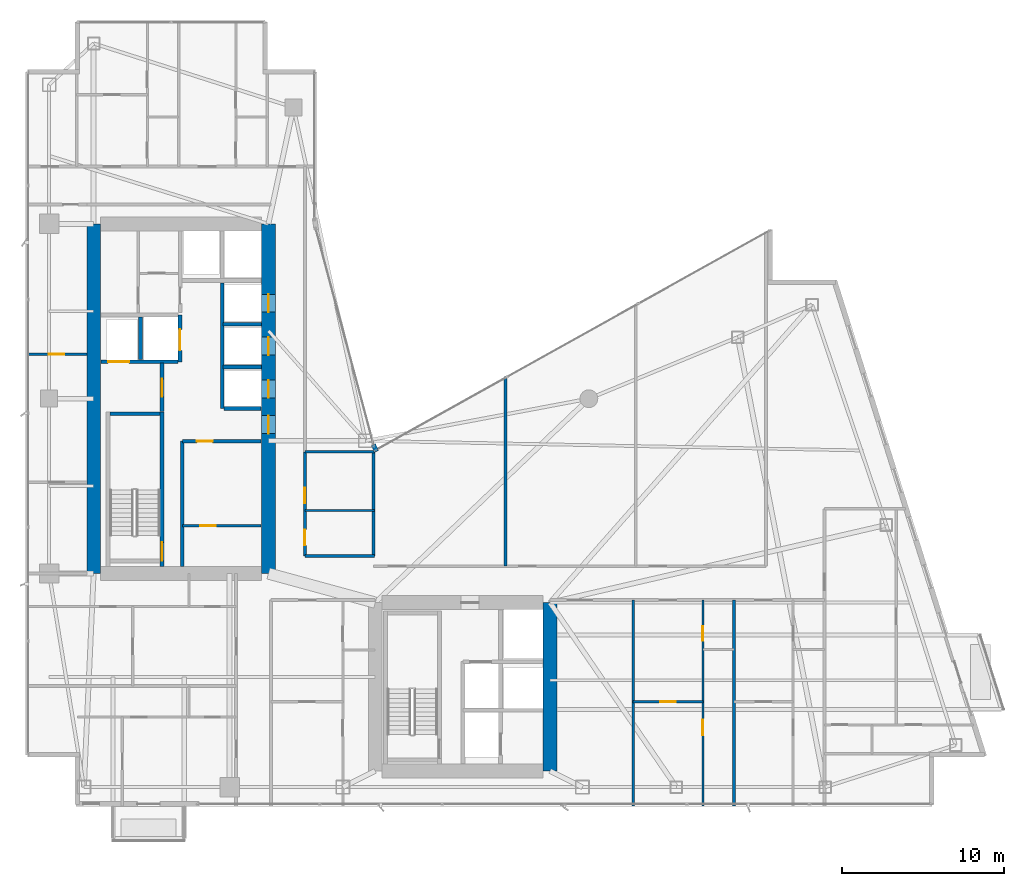
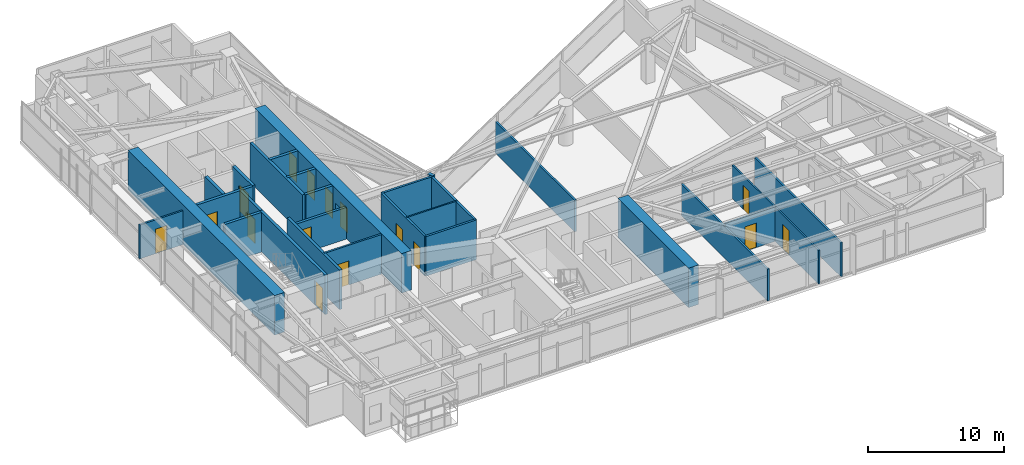
# One storey, part 23 of 29: 28 walls, 16 doors, 16 openings.
"""IFC4 building model written with IfcOpenShell, lengths in metres."""

import ifcopenshell
import ifcopenshell.guid

model = None  # the IFC model being written
_history = None  # IfcOwnerHistory: only IFC2X3 demands one
_inside = {}  # id of a spatial element -> (the spatial element, [elements in it])
_under = {}  # id of a project, library or spatial element -> (it, [spatial elements below it])
_declared = {}  # id of a project -> (the project, [libraries it declares])
_typed = {}  # id of a type object -> (the type object, [elements of that type])
_made_of = {}  # id of a material, layer set ... -> (it, [elements and type objects made of it])


def new_model(schema):
    """Start an empty IFC model of exactly this schema.

    Asked for "IFC4X3", IfcOpenShell would pick the latest addendum, in which some entities
    have other attributes; the version numbers below select the first issue.
    IFC2X3 requires an IfcOwnerHistory on every rooted entity: one is made here for all.
    """
    global model, _history
    if schema == "IFC4X3":
        model = ifcopenshell.file(schema_version=(4, 3, 0, 0))
    else:
        model = ifcopenshell.file(schema=schema)
    _inside.clear()
    _under.clear()
    _declared.clear()
    _typed.clear()
    _made_of.clear()
    _history = None
    if model.schema == "IFC2X3":
        org = make("IfcOrganization", Name="unknown")
        user = make(
            "IfcPersonAndOrganization",
            ThePerson=make("IfcPerson", FamilyName="unknown"),
            TheOrganization=org,
        )
        app = make(
            "IfcApplication",
            ApplicationDeveloper=org,
            Version="unknown",
            ApplicationFullName="unknown",
            ApplicationIdentifier="unknown",
        )
        _history = make(
            "IfcOwnerHistory",
            OwningUser=user,
            OwningApplication=app,
            ChangeAction="ADDED",
            CreationDate=0,
        )
    return model


def make(cls, **values):
    """One entity of the class cls with the attributes given. An attribute that is None is left unset."""
    return model.create_entity(
        cls, **{name: value for name, value in values.items() if value is not None}
    )


def rooted(cls, **values):
    """An entity with a GlobalId (a new one), such as an element, a storey or a relation."""
    return make(cls, GlobalId=ifcopenshell.guid.new(), OwnerHistory=_history, **values)


def si_unit(unit_type, name, prefix=None):
    """IfcSIUnit, for example si_unit("LENGTHUNIT", "METRE", prefix="MILLI")."""
    return make("IfcSIUnit", UnitType=unit_type, Prefix=prefix, Name=name)


def assignment(units):
    """IfcUnitAssignment: the units of a project."""
    return None if units is None else make("IfcUnitAssignment", Units=units)


def point(xyz):
    """IfcCartesianPoint."""
    return None if xyz is None else make("IfcCartesianPoint", Coordinates=xyz)


def direction(xyz):
    """IfcDirection."""
    return None if xyz is None else make("IfcDirection", DirectionRatios=xyz)


def frame(location, z_axis=None, x_axis=None):
    """IfcAxis2Placement3D, a coordinate frame: its origin and axes. An axis left out is left unset."""
    return make(
        "IfcAxis2Placement3D",
        Location=point(location),
        Axis=direction(z_axis),
        RefDirection=direction(x_axis),
    )


def frame_2d(location, x_axis=None):
    """IfcAxis2Placement2D, a coordinate frame in the plane: its origin and x axis."""
    return make(
        "IfcAxis2Placement2D", Location=point(location), RefDirection=direction(x_axis)
    )


def origin():
    """The frame at (0, 0, 0) with its axes left unset."""
    return frame((0.0, 0.0, 0.0))


def place(relative_to, where):
    """IfcLocalPlacement: puts the frame where relative to a parent placement (None: the world)."""
    return make(
        "IfcLocalPlacement", PlacementRelTo=relative_to, RelativePlacement=where
    )


def context(
    kind, dimensions, precision=None, world=None, true_north=None, identifier=None
):
    """IfcGeometricRepresentationContext, for example the 3D "Model" context."""
    return make(
        "IfcGeometricRepresentationContext",
        ContextIdentifier=identifier,
        ContextType=kind,
        CoordinateSpaceDimension=dimensions,
        Precision=precision,
        WorldCoordinateSystem=world,
        TrueNorth=true_north,
    )


def subcontext(parent, identifier, kind, view, scale=None):
    """IfcGeometricRepresentationSubContext, for example "Body" below "Model"."""
    return make(
        "IfcGeometricRepresentationSubContext",
        ContextIdentifier=identifier,
        ContextType=kind,
        ParentContext=parent,
        TargetScale=scale,
        TargetView=view,
    )


def project(units=None, contexts=None):
    """IfcProject with its units and contexts."""
    return rooted(
        "IfcProject",
        Name="project",
        RepresentationContexts=contexts,
        UnitsInContext=assignment(units),
    )


def spatial(cls, under=None, at=None, **own):
    """A site, building, storey or space (cls), placed at a placement, below another one or the project."""
    s = rooted(cls, ObjectPlacement=at, **own)
    if under is not None:
        _under.setdefault(under.id(), (under, []))[1].append(s)
    return s


def profile(cls, at=None, kind="AREA", **sizes):
    """A parametric profile (cls). Its sizes go by their IFC names, for example OverallWidth=200.0."""
    return make(cls, ProfileType=kind, Position=at, **sizes)


def rectangle(**sizes):
    """IfcRectangleProfileDef."""
    return profile("IfcRectangleProfileDef", **sizes)


def extrude(swept, where, along, depth):
    """IfcExtrudedAreaSolid: the profile swept, set in the frame where, extruded along a direction by depth."""
    return make(
        "IfcExtrudedAreaSolid",
        SweptArea=swept,
        Position=where,
        ExtrudedDirection=direction(along),
        Depth=depth,
    )


def shape(context_of_items, identifier, shape_type, items):
    """IfcShapeRepresentation: the items that make up one representation, for example the "Body"."""
    return make(
        "IfcShapeRepresentation",
        ContextOfItems=context_of_items,
        RepresentationIdentifier=identifier,
        RepresentationType=shape_type,
        Items=items,
    )


def material(Name=None, Category=None):
    """IfcMaterial."""
    return make("IfcMaterial", Name=Name, Category=Category)


def layer(
    of_material, thickness, ventilated=None, Name=None, Category=None, Priority=None
):
    """IfcMaterialLayer: one layer of a wall or slab, of a material (None: an air gap)."""
    return make(
        "IfcMaterialLayer",
        Material=of_material,
        LayerThickness=thickness,
        IsVentilated=ventilated,
        Name=Name,
        Category=Category,
        Priority=Priority,
    )


def layer_set(layers, Name=None):
    """IfcMaterialLayerSet."""
    return make("IfcMaterialLayerSet", MaterialLayers=layers, LayerSetName=Name)


def made_of(thing, what):
    """Note that an element or type object is made of a material, layer set ...; save() writes the relation."""
    if what is not None:
        _made_of.setdefault(what.id(), (what, []))[1].append(thing)
    return thing


def type_object(cls, material=None, **own):
    """A type object (cls), such as IfcWallType, which elements share."""
    return made_of(rooted(cls, **own), material)


def element(
    cls,
    number,
    at=None,
    inside=None,
    cuts=None,
    type_object=None,
    material=None,
    context=None,
    identifier="Body",
    shape_type=None,
    held_by="IfcProductDefinitionShape",
    body=None,
    shapes=None,
    **own,
):
    """One element of the class cls, such as IfcWall. Its Tag is "e" and its number.

    at: its placement. inside: the storey or other place that contains it. cuts: it is an
    opening in that element (IfcRelVoidsElement). A single representation is given by context,
    identifier, shape_type and body (its items); several are given by shapes. held_by: the class
    of the entity that holds the representations. save() writes the other relations.
    """
    e = rooted(cls, Tag="e%d" % number, ObjectPlacement=at, **own)
    if body is not None:
        shapes = [shape(context, identifier, shape_type, body)]
    if shapes is not None:
        e.Representation = make(held_by, Representations=shapes)
    if inside is not None:
        _inside.setdefault(inside.id(), (inside, []))[1].append(e)
    if cuts is not None:
        rooted(
            "IfcRelVoidsElement", RelatingBuildingElement=cuts, RelatedOpeningElement=e
        )
    if type_object is not None:
        _typed.setdefault(type_object.id(), (type_object, []))[1].append(e)
    return made_of(e, material)


def fill(opening, filler):
    """IfcRelFillsElement: the door or window that sits in an opening."""
    return rooted(
        "IfcRelFillsElement",
        RelatingOpeningElement=opening,
        RelatedBuildingElement=filler,
    )


def aggregate(whole, parts):
    """IfcRelAggregates: a whole, such as a stair, and the parts it consists of."""
    return rooted("IfcRelAggregates", RelatingObject=whole, RelatedObjects=parts)


def save(model, path):
    """Write the relations noted so far, then the file.

    IfcRelAggregates (storeys below a building ...), IfcRelContainedInSpatialStructure (elements
    in a storey), IfcRelDefinesByType, IfcRelAssociatesMaterial and IfcRelDeclares: one each for
    every whole, place, type object, material and project.
    """
    for whole, parts in _under.values():
        aggregate(whole, parts)
    for where, things in _inside.values():
        rooted(
            "IfcRelContainedInSpatialStructure",
            RelatedElements=things,
            RelatingStructure=where,
        )
    for kind, things in _typed.values():
        rooted("IfcRelDefinesByType", RelatedObjects=things, RelatingType=kind)
    for what, things in _made_of.values():
        rooted("IfcRelAssociatesMaterial", RelatedObjects=things, RelatingMaterial=what)
    for by, libraries in _declared.values():
        rooted("IfcRelDeclares", RelatingContext=by, RelatedDefinitions=libraries)
    model.write(path)


model = new_model("IFC4")

# Units and contexts
model_context = context("Model", 3, precision=1e-05, world=origin(), true_north=direction((0.0, 1.0)))
body_context = subcontext(model_context, "Body", "Model", "MODEL_VIEW")
ifc_project = project(units=[si_unit("LENGTHUNIT", "METRE"), si_unit("AREAUNIT", "SQUARE_METRE"), si_unit("VOLUMEUNIT", "CUBIC_METRE"), si_unit("PLANEANGLEUNIT", "RADIAN"), si_unit("MASSUNIT", "GRAM", prefix="KILO")], contexts=[model_context])

# Site, building, storey
site_placement = place(None, origin())
site = spatial("IfcSite", under=ifc_project, at=site_placement, CompositionType="ELEMENT")
building_placement = place(site_placement, origin())
building = spatial("IfcBuilding", under=site, at=building_placement, Name="Calvorn Quay Hotel", CompositionType="ELEMENT")
storey_placement = place(building_placement, frame((0.0, 0.0, 120.199951171875)))
storey = spatial("IfcBuildingStorey", under=building, at=storey_placement, Name="L29", CompositionType="ELEMENT", Elevation=120.199951171875)

# Wall
ifc_material_1 = material(Name="Concrete C50", Category="concrete")
ifc_layer_1 = layer(ifc_material_1, 0.85009765625)
ifc_layer_set_1 = layer_set([ifc_layer_1], Name="WL-CORE-850")
wall_type_1 = type_object("IfcWallType", Name="WL-CORE-850", PredefinedType="SHEAR", material=ifc_layer_set_1)
wall_1_placement = place(storey_placement, frame((4.199951171875, 16.800048828125, 0.0), z_axis=(0.0, 0.0, 1.0), x_axis=(0.0, 1.0, 0.0)))
element("IfcWall", 1, at=wall_1_placement, inside=storey, type_object=wall_type_1, Name="West Core Shear Wall W (L29)", PredefinedType="SHEAR", context=body_context, shape_type="SweptSolid", body=[
    extrude(rectangle(XDim=21.599853515625, YDim=0.85009765625, at=frame_2d((10.7998046875, 0.0))), origin(), (0.0, 0.0, 1.0), 3.56005859375),
])

# Wall, openings, doors
wall_2_placement = place(storey_placement, frame((15.0, 16.800048828125, 0.0), z_axis=(0.0, 0.0, 1.0), x_axis=(0.0, 1.0, 0.0)))
wall_2 = element("IfcWall", 2, at=wall_2_placement, inside=storey, type_object=wall_type_1, Name="West Core Shear Wall E (L29)", PredefinedType="SHEAR", context=body_context, shape_type="SweptSolid", body=[
    extrude(rectangle(XDim=21.599853515625, YDim=0.85009765625, at=frame_2d((10.7998046875, 0.0))), origin(), (0.0, 0.0, 1.0), 3.56005859375),
])
opening_1_placement = place(wall_2_placement, frame((8.64990234375, 0.0, 0.0)))
opening_1 = element("IfcOpeningElement", 3, at=opening_1_placement, cuts=wall_2, Name="Opening D-L29-CW1", PredefinedType="OPENING", context=body_context, shape_type="SweptSolid", body=[
    extrude(rectangle(XDim=1.10009765625, YDim=2.199951171875, at=frame_2d((0.550048828125, 1.10009765625))), frame((0.0, 0.43505859375, 0.0), z_axis=(0.0, -1.0, 0.0), x_axis=(1.0, 0.0, 0.0)), (0.0, 0.0, 1.0), 0.8701171875),
])
opening_2_placement = place(wall_2_placement, frame((10.85009765625, 0.0, 0.0)))
opening_2 = element("IfcOpeningElement", 4, at=opening_2_placement, cuts=wall_2, Name="Opening LD-L29-M1", PredefinedType="OPENING", context=body_context, shape_type="SweptSolid", body=[
    extrude(rectangle(XDim=1.10009765625, YDim=2.199951171875, at=frame_2d((0.550048828125, 1.10009765625))), frame((0.0, 0.43505859375, 0.0), z_axis=(0.0, -1.0, 0.0), x_axis=(1.0, 0.0, 0.0)), (0.0, 0.0, 1.0), 0.8701171875),
])
opening_3_placement = place(wall_2_placement, frame((13.5, 0.0, 0.0)))
opening_3 = element("IfcOpeningElement", 5, at=opening_3_placement, cuts=wall_2, Name="Opening LD-L29-M2", PredefinedType="OPENING", context=body_context, shape_type="SweptSolid", body=[
    extrude(rectangle(XDim=1.10009765625, YDim=2.199951171875, at=frame_2d((0.550048828125, 1.10009765625))), frame((0.0, 0.43505859375, 0.0), z_axis=(0.0, -1.0, 0.0), x_axis=(1.0, 0.0, 0.0)), (0.0, 0.0, 1.0), 0.8701171875),
])
opening_4_placement = place(wall_2_placement, frame((16.14990234375, 0.0, 0.0)))
opening_4 = element("IfcOpeningElement", 6, at=opening_4_placement, cuts=wall_2, Name="Opening LD-L29-M3", PredefinedType="OPENING", context=body_context, shape_type="SweptSolid", body=[
    extrude(rectangle(XDim=1.10009765625, YDim=2.199951171875, at=frame_2d((0.550048828125, 1.10009765625))), frame((0.0, 0.43505859375, 0.0), z_axis=(0.0, -1.0, 0.0), x_axis=(1.0, 0.0, 0.0)), (0.0, 0.0, 1.0), 0.8701171875),
])
ifc_material_2 = material(Name="Smoke-Sealed Steel Class A Fire Door", Category="steel")
door_type_1 = type_object("IfcDoorType", Name="DR-FFLOBBY-1100", OperationType="NOTDEFINED", PredefinedType="DOOR", material=ifc_material_2)
door_1_placement = place(opening_1_placement, origin())
door_1 = element("IfcDoor", 7, at=door_1_placement, inside=storey, type_object=door_type_1, Name="West Core Vestibule Fire Door (L29)", OperationType="SINGLE_SWING_RIGHT", OverallHeight=2.199951171875, OverallWidth=1.10009765625, PredefinedType="DOOR", context=body_context, shape_type="SweptSolid", body=[
    extrude(rectangle(XDim=1.10009765625, YDim=2.199951171875, at=frame_2d((0.550048828125, 1.10009765625))), frame((0.0, 0.02490234375, 0.0), z_axis=(0.0, -1.0, 0.0), x_axis=(1.0, 0.0, 0.0)), (0.0, 0.0, 1.0), 0.050048828125),
])
fill(opening_1, door_1)
ifc_material_3 = material(Name="Brushed Stainless Steel Sliding Lift Landing Door", Category="steel")
door_type_2 = type_object("IfcDoorType", Name="DR-LIFT-PASS-1100", OperationType="NOTDEFINED", PredefinedType="DOOR", material=ifc_material_3)
door_2_placement = place(opening_2_placement, origin())
door_2 = element("IfcDoor", 8, at=door_2_placement, inside=storey, type_object=door_type_2, Name="Mid-Rise Lift PL-M1 Landing Door (L29)", OperationType="DOUBLE_DOOR_SLIDING", OverallHeight=2.199951171875, OverallWidth=1.10009765625, PredefinedType="DOOR", context=body_context, shape_type="SweptSolid", body=[
    extrude(rectangle(XDim=1.10009765625, YDim=2.199951171875, at=frame_2d((0.550048828125, 1.10009765625))), frame((0.0, 0.02490234375, 0.0), z_axis=(0.0, -1.0, 0.0), x_axis=(1.0, 0.0, 0.0)), (0.0, 0.0, 1.0), 0.050048828125),
])
fill(opening_2, door_2)
door_3_placement = place(opening_3_placement, origin())
door_3 = element("IfcDoor", 9, at=door_3_placement, inside=storey, type_object=door_type_2, Name="Mid-Rise Lift PL-M2 Landing Door (L29)", OperationType="DOUBLE_DOOR_SLIDING", OverallHeight=2.199951171875, OverallWidth=1.10009765625, PredefinedType="DOOR", context=body_context, shape_type="SweptSolid", body=[
    extrude(rectangle(XDim=1.10009765625, YDim=2.199951171875, at=frame_2d((0.550048828125, 1.10009765625))), frame((0.0, 0.02490234375, 0.0), z_axis=(0.0, -1.0, 0.0), x_axis=(1.0, 0.0, 0.0)), (0.0, 0.0, 1.0), 0.050048828125),
])
fill(opening_3, door_3)
door_4_placement = place(opening_4_placement, origin())
door_4 = element("IfcDoor", 10, at=door_4_placement, inside=storey, type_object=door_type_2, Name="Mid-Rise Lift PL-M3 Landing Door (L29)", OperationType="DOUBLE_DOOR_SLIDING", OverallHeight=2.199951171875, OverallWidth=1.10009765625, PredefinedType="DOOR", context=body_context, shape_type="SweptSolid", body=[
    extrude(rectangle(XDim=1.10009765625, YDim=2.199951171875, at=frame_2d((0.550048828125, 1.10009765625))), frame((0.0, 0.02490234375, 0.0), z_axis=(0.0, -1.0, 0.0), x_axis=(1.0, 0.0, 0.0)), (0.0, 0.0, 1.0), 0.050048828125),
])
fill(opening_4, door_4)

# Walls
wall_3_placement = place(storey_placement, frame((32.39990234375, 4.60009765625, 0.0), z_axis=(0.0, 0.0, 1.0), x_axis=(0.0, 1.0, 0.0)))
element("IfcWall", 11, at=wall_3_placement, inside=storey, type_object=wall_type_1, Name="East Core Shear Wall E (L29)", PredefinedType="SHEAR", context=body_context, shape_type="SweptSolid", body=[
    extrude(rectangle(XDim=10.39990234375, YDim=0.85009765625, at=frame_2d((5.199951171875, 0.0))), origin(), (0.0, 0.0, 1.0), 3.56005859375),
])
ifc_material_4 = material(Name="Acoustic Fireboard Steel-Stud Partition", Category="steel")
ifc_layer_2 = layer(ifc_material_4, 0.179931640625)
ifc_layer_set_2 = layer_set([ifc_layer_2], Name="WL-CORR-FIRE-180")
wall_type_2 = type_object("IfcWallType", Name="WL-CORR-FIRE-180", PredefinedType="PARTITIONING", material=ifc_layer_set_2)
wall_4_placement = place(storey_placement, frame((17.25, 17.8798828125, 0.0), z_axis=(0.0, 0.0, 1.0), x_axis=(1.0, 0.0, 0.0)))
element("IfcWall", 12, at=wall_4_placement, inside=storey, type_object=wall_type_2, Name="Partition Wall L29-WL-HK-S", PredefinedType="PARTITIONING", context=body_context, shape_type="SweptSolid", body=[
    extrude(rectangle(XDim=4.300048828125, YDim=0.179931640625, at=frame_2d((2.14990234375, 0.0))), origin(), (0.0, 0.0, 1.0), 3.56005859375),
])
wall_5_placement = place(storey_placement, frame((17.25, 24.320068359375, 0.0), z_axis=(0.0, 0.0, 1.0), x_axis=(1.0, 0.0, 0.0)))
element("IfcWall", 13, at=wall_5_placement, inside=storey, type_object=wall_type_2, Name="Partition Wall L29-WL-HK-N", PredefinedType="PARTITIONING", context=body_context, shape_type="SweptSolid", body=[
    extrude(rectangle(XDim=4.35009765625, YDim=0.179931640625, at=frame_2d((2.175048828125, 0.0))), origin(), (0.0, 0.0, 1.0), 3.56005859375),
])
wall_6_placement = place(storey_placement, frame((21.5, 17.8798828125, 0.0), z_axis=(0.0, 0.0, 1.0), x_axis=(0.0, 1.0, 0.0)))
element("IfcWall", 14, at=wall_6_placement, inside=storey, type_object=wall_type_2, Name="Partition Wall L29-WL-HK-E", PredefinedType="PARTITIONING", context=body_context, shape_type="SweptSolid", body=[
    extrude(rectangle(XDim=6.440185546875, YDim=0.179931640625, at=frame_2d((3.22021484375, 0.0))), origin(), (0.0, 0.0, 1.0), 3.56005859375),
])

# Wall, openings, doors
wall_7_placement = place(storey_placement, frame((17.25, 17.8798828125, 0.0), z_axis=(0.0, 0.0, 1.0), x_axis=(0.0, 1.0, 0.0)))
wall_7 = element("IfcWall", 15, at=wall_7_placement, inside=storey, type_object=wall_type_2, Name="Partition Wall L29-WL-HK-W", PredefinedType="PARTITIONING", context=body_context, shape_type="SweptSolid", body=[
    extrude(rectangle(XDim=6.440185546875, YDim=0.179931640625, at=frame_2d((3.22021484375, 0.0))), origin(), (0.0, 0.0, 1.0), 3.56005859375),
])
opening_5_placement = place(wall_7_placement, frame((0.64990234375, 0.0, 0.0)))
opening_5 = element("IfcOpeningElement", 16, at=opening_5_placement, cuts=wall_7, Name="Opening D-L29-HK", PredefinedType="OPENING", context=body_context, shape_type="SweptSolid", body=[
    extrude(rectangle(XDim=0.97998046875, YDim=2.14990234375, at=frame_2d((0.489990234375, 1.074951171875))), frame((0.0, 0.099853515625, 0.0), z_axis=(0.0, -1.0, 0.0), x_axis=(1.0, 0.0, 0.0)), (0.0, 0.0, 1.0), 0.199951171875),
])
opening_6_placement = place(wall_7_placement, frame((3.27001953125, 0.0, 0.0)))
opening_6 = element("IfcOpeningElement", 17, at=opening_6_placement, cuts=wall_7, Name="Opening D-L29-NCP", PredefinedType="OPENING", context=body_context, shape_type="SweptSolid", body=[
    extrude(rectangle(XDim=0.9599609375, YDim=2.199951171875, at=frame_2d((0.47998046875, 1.10009765625))), frame((0.0, 0.099853515625, 0.0), z_axis=(0.0, -1.0, 0.0), x_axis=(1.0, 0.0, 0.0)), (0.0, 0.0, 1.0), 0.199951171875),
])
ifc_material_5 = material(Name="Painted Steel Housekeeping/Riser Fire Door", Category="steel")
door_type_3 = type_object("IfcDoorType", Name="DR-SERVICE-980", OperationType="NOTDEFINED", PredefinedType="DOOR", material=ifc_material_5)
door_5_placement = place(opening_5_placement, origin())
door_5 = element("IfcDoor", 18, at=door_5_placement, inside=storey, type_object=door_type_3, Name="Floor Housekeeping Door (L29)", OperationType="SINGLE_SWING_LEFT", OverallHeight=2.14990234375, OverallWidth=0.97998046875, PredefinedType="DOOR", context=body_context, shape_type="SweptSolid", body=[
    extrude(rectangle(XDim=0.97998046875, YDim=2.14990234375, at=frame_2d((0.489990234375, 1.074951171875))), frame((0.0, 0.02490234375, 0.0), z_axis=(0.0, -1.0, 0.0), x_axis=(1.0, 0.0, 0.0)), (0.0, 0.0, 1.0), 0.050048828125),
])
fill(opening_5, door_5)
ifc_material_6 = material(Name="Solid Timber Internal Suite Door", Category="wood")
door_type_4 = type_object("IfcDoorType", Name="DR-SUITE-INT-960", OperationType="NOTDEFINED", PredefinedType="DOOR", material=ifc_material_6)
door_6_placement = place(opening_6_placement, origin())
door_6 = element("IfcDoor", 19, at=door_6_placement, inside=storey, type_object=door_type_4, Name="Reading Alcove Door (L29)", OperationType="SINGLE_SWING_RIGHT", OverallHeight=2.199951171875, OverallWidth=0.9599609375, PredefinedType="DOOR", context=body_context, shape_type="SweptSolid", body=[
    extrude(rectangle(XDim=0.9599609375, YDim=2.199951171875, at=frame_2d((0.47998046875, 1.10009765625))), frame((0.0, 0.02490234375, 0.0), z_axis=(0.0, -1.0, 0.0), x_axis=(1.0, 0.0, 0.0)), (0.0, 0.0, 1.0), 0.050048828125),
])
fill(opening_6, door_6)

# Wall
ifc_material_7 = material(Name="Moisture-Resistant Tile-Backed Partition")
ifc_layer_3 = layer(ifc_material_7, 0.125)
ifc_layer_set_3 = layer_set([ifc_layer_3], Name="WL-ENSUITE-125")
wall_type_3 = type_object("IfcWallType", Name="WL-ENSUITE-125", PredefinedType="PARTITIONING", material=ifc_layer_set_3)
wall_8_placement = place(storey_placement, frame((17.25, 20.679931640625, 0.0), z_axis=(0.0, 0.0, 1.0), x_axis=(1.0, 0.0, 0.0)))
element("IfcWall", 20, at=wall_8_placement, inside=storey, type_object=wall_type_3, Name="Partition Wall L29-WL-HK-M", PredefinedType="PARTITIONING", context=body_context, shape_type="SweptSolid", body=[
    extrude(rectangle(XDim=4.300048828125, YDim=0.125, at=frame_2d((2.14990234375, 0.0))), origin(), (0.0, 0.0, 1.0), 3.56005859375),
])

# Wall, openings, doors
wall_9_placement = place(storey_placement, frame((41.840087890625, 2.43994140625, 0.0), z_axis=(0.0, 0.0, 1.0), x_axis=(0.0, 1.0, 0.0)))
wall_9 = element("IfcWall", 21, at=wall_9_placement, inside=storey, type_object=wall_type_3, Name="Partition Wall L29-WL-U06-BV", PredefinedType="PARTITIONING", context=body_context, shape_type="SweptSolid", body=[
    extrude(rectangle(XDim=12.7099609375, YDim=0.125, at=frame_2d((6.35498046875, 0.0))), origin(), (0.0, 0.0, 1.0), 3.0400390625),
])
opening_7_placement = place(wall_9_placement, frame((4.35009765625, 0.0, 0.0)))
opening_7 = element("IfcOpeningElement", 22, at=opening_7_placement, cuts=wall_9, Name="Opening D-L29-S06", PredefinedType="OPENING", context=body_context, shape_type="SweptSolid", body=[
    extrude(rectangle(XDim=0.9599609375, YDim=2.199951171875, at=frame_2d((0.47998046875, 1.10009765625))), frame((0.0, 0.072509765625, 0.0), z_axis=(0.0, -1.0, 0.0), x_axis=(1.0, 0.0, 0.0)), (0.0, 0.0, 1.0), 0.14501953125),
])
opening_8_placement = place(wall_9_placement, frame((10.2099609375, 0.0, 0.0)))
opening_8 = element("IfcOpeningElement", 23, at=opening_8_placement, cuts=wall_9, Name="Opening D-L29-E06", PredefinedType="OPENING", context=body_context, shape_type="SweptSolid", body=[
    extrude(rectangle(XDim=0.89990234375, YDim=2.14990234375, at=frame_2d((0.449951171875, 1.074951171875))), frame((0.0, 0.072509765625, 0.0), z_axis=(0.0, -1.0, 0.0), x_axis=(1.0, 0.0, 0.0)), (0.0, 0.0, 1.0), 0.14501953125),
])
ifc_material_8 = material(Name="Moisture-Sealed Timber En-Suite Door", Category="wood")
door_type_5 = type_object("IfcDoorType", Name="DR-ENSUITE-900", OperationType="NOTDEFINED", PredefinedType="DOOR", material=ifc_material_8)
door_7_placement = place(opening_8_placement, origin())
door_7 = element("IfcDoor", 24, at=door_7_placement, inside=storey, type_object=door_type_5, Name="En-Suite Door 06", OperationType="SINGLE_SWING_RIGHT", OverallHeight=2.14990234375, OverallWidth=0.89990234375, PredefinedType="DOOR", context=body_context, shape_type="SweptSolid", body=[
    extrude(rectangle(XDim=0.89990234375, YDim=2.14990234375, at=frame_2d((0.449951171875, 1.074951171875))), frame((0.0, 0.02490234375, 0.0), z_axis=(0.0, -1.0, 0.0), x_axis=(1.0, 0.0, 0.0)), (0.0, 0.0, 1.0), 0.050048828125),
])
fill(opening_8, door_7)
door_8_placement = place(opening_7_placement, origin())
door_8 = element("IfcDoor", 25, at=door_8_placement, inside=storey, type_object=door_type_4, Name="Harbour Tea Room Door 06", OperationType="SINGLE_SWING_LEFT", OverallHeight=2.199951171875, OverallWidth=0.9599609375, PredefinedType="DOOR", context=body_context, shape_type="SweptSolid", body=[
    extrude(rectangle(XDim=0.9599609375, YDim=2.199951171875, at=frame_2d((0.47998046875, 1.10009765625))), frame((0.0, 0.02490234375, 0.0), z_axis=(0.0, -1.0, 0.0), x_axis=(1.0, 0.0, 0.0)), (0.0, 0.0, 1.0), 0.050048828125),
])
fill(opening_7, door_8)

# Wall
ifc_material_9 = material(Name="Concrete C40", Category="concrete")
ifc_layer_4 = layer(ifc_material_9, 0.320068359375)
ifc_layer_set_4 = layer_set([ifc_layer_4], Name="WL-EXT-SPANDREL-320")
wall_type_4 = type_object("IfcWallType", Name="WL-EXT-SPANDREL-320", PredefinedType="SOLIDWALL", material=ifc_layer_set_4)
wall_10_placement = place(storey_placement, frame((21.679931640625, 24.340087890625, 0.0), z_axis=(0.0, 0.0, 1.0), x_axis=(-0.40758134973, 0.913168901875, 0.0)))
element("IfcWall", 26, at=wall_10_placement, inside=storey, type_object=wall_type_4, Name="Inner Court Corner Pier L29-ICJ1", PredefinedType="SOLIDWALL", context=body_context, shape_type="SweptSolid", body=[
    extrude(rectangle(XDim=0.470703125, YDim=0.280029296875, at=frame_2d((0.2353515625, 0.0))), origin(), (0.0, 0.0, 1.0), 3.56005859375),
])

# Wall, opening, door
ifc_material_10 = material(Name="Double-Stud Acoustic Gypsum Partition")
ifc_layer_5 = layer(ifc_material_10, 0.159912109375)
ifc_layer_set_5 = layer_set([ifc_layer_5], Name="WL-INTERSUITE-160")
wall_type_5 = type_object("IfcWallType", Name="WL-INTERSUITE-160", PredefinedType="PARTITIONING", material=ifc_layer_set_5)
wall_11_placement = place(storey_placement, frame((9.679931640625, 19.75, 0.0), z_axis=(0.0, 0.0, 1.0), x_axis=(1.0, 0.0, 0.0)))
wall_11 = element("IfcWall", 27, at=wall_11_placement, inside=storey, type_object=wall_type_5, Name="Partition Wall L29-WL-CWW-FR-SPLIT", PredefinedType="PARTITIONING", context=body_context, shape_type="SweptSolid", body=[
    extrude(rectangle(XDim=4.875, YDim=0.159912109375, at=frame_2d((2.4375, 0.0))), origin(), (0.0, 0.0, 1.0), 3.56005859375),
])
opening_9_placement = place(wall_11_placement, frame((1.10009765625, 0.0, 0.0)))
opening_9 = element("IfcOpeningElement", 28, at=opening_9_placement, cuts=wall_11, Name="Opening D-L29-FRL1", PredefinedType="OPENING", context=body_context, shape_type="SweptSolid", body=[
    extrude(rectangle(XDim=0.97998046875, YDim=2.14990234375, at=frame_2d((0.489990234375, 1.074951171875))), frame((0.0, 0.08984375, 0.0), z_axis=(0.0, -1.0, 0.0), x_axis=(1.0, 0.0, 0.0)), (0.0, 0.0, 1.0), 0.179931640625),
])
door_9_placement = place(opening_9_placement, origin())
door_9 = element("IfcDoor", 29, at=door_9_placement, inside=storey, type_object=door_type_3, Name="Linen Store Room Door (L29)", OperationType="SINGLE_SWING_LEFT", OverallHeight=2.14990234375, OverallWidth=0.97998046875, PredefinedType="DOOR", context=body_context, shape_type="SweptSolid", body=[
    extrude(rectangle(XDim=0.97998046875, YDim=2.14990234375, at=frame_2d((0.489990234375, 1.074951171875))), frame((0.0, 0.02490234375, 0.0), z_axis=(0.0, -1.0, 0.0), x_axis=(1.0, 0.0, 0.0)), (0.0, 0.0, 1.0), 0.050048828125),
])
fill(opening_9, door_9)

wall_12_placement = place(storey_placement, frame((0.080078125, 30.35009765625, 0.0), z_axis=(0.0, 0.0, 1.0), x_axis=(1.0, 0.0, 0.0)))
wall_12 = element("IfcWall", 30, at=wall_12_placement, inside=storey, type_object=wall_type_5, Name="Partition Wall L29-WL-WBAY-DIVB", PredefinedType="PARTITIONING", context=body_context, shape_type="SweptSolid", body=[
    extrude(rectangle(XDim=3.724853515625, YDim=0.159912109375, at=frame_2d((1.8623046875, 0.0))), origin(), (0.0, 0.0, 1.0), 3.0400390625),
])
opening_10_placement = place(wall_12_placement, frame((1.35009765625, 0.0, 0.0)))
opening_10 = element("IfcOpeningElement", 31, at=opening_10_placement, cuts=wall_12, Name="Opening D-L29-WBB", PredefinedType="OPENING", context=body_context, shape_type="SweptSolid", body=[
    extrude(rectangle(XDim=0.9599609375, YDim=2.199951171875, at=frame_2d((0.47998046875, 1.10009765625))), frame((0.0, 0.08984375, 0.0), z_axis=(0.0, -1.0, 0.0), x_axis=(1.0, 0.0, 0.0)), (0.0, 0.0, 1.0), 0.179931640625),
])
door_10_placement = place(opening_10_placement, origin())
door_10 = element("IfcDoor", 32, at=door_10_placement, inside=storey, type_object=door_type_4, Name="West North Connecting Door (L29)", OperationType="SINGLE_SWING_RIGHT", OverallHeight=2.199951171875, OverallWidth=0.9599609375, PredefinedType="DOOR", context=body_context, shape_type="SweptSolid", body=[
    extrude(rectangle(XDim=0.9599609375, YDim=2.199951171875, at=frame_2d((0.47998046875, 1.10009765625))), frame((0.0, 0.02490234375, 0.0), z_axis=(0.0, -1.0, 0.0), x_axis=(1.0, 0.0, 0.0)), (0.0, 0.0, 1.0), 0.050048828125),
])
fill(opening_10, door_10)

wall_13_placement = place(storey_placement, frame((37.530029296875, 8.8798828125, 0.0), z_axis=(0.0, 0.0, 1.0), x_axis=(1.0, 0.0, 0.0)))
wall_13 = element("IfcWall", 33, at=wall_13_placement, inside=storey, type_object=wall_type_5, Name="Partition Wall L29-WL-U06-MSP", PredefinedType="PARTITIONING", context=body_context, shape_type="SweptSolid", body=[
    extrude(rectangle(XDim=4.31005859375, YDim=0.159912109375, at=frame_2d((2.155029296875, 0.0))), origin(), (0.0, 0.0, 1.0), 3.090087890625),
])
opening_11_placement = place(wall_13_placement, frame((1.679931640625, 0.0, 0.0)))
opening_11 = element("IfcOpeningElement", 34, at=opening_11_placement, cuts=wall_13, Name="Opening D-L29-M06", PredefinedType="OPENING", context=body_context, shape_type="SweptSolid", body=[
    extrude(rectangle(XDim=0.9599609375, YDim=2.199951171875, at=frame_2d((0.47998046875, 1.10009765625))), frame((0.0, 0.08984375, 0.0), z_axis=(0.0, -1.0, 0.0), x_axis=(1.0, 0.0, 0.0)), (0.0, 0.0, 1.0), 0.179931640625),
])
door_11_placement = place(opening_11_placement, origin())
door_11 = element("IfcDoor", 35, at=door_11_placement, inside=storey, type_object=door_type_4, Name="Suite Bedroom Door 06", OperationType="SINGLE_SWING_LEFT", OverallHeight=2.199951171875, OverallWidth=0.9599609375, PredefinedType="DOOR", context=body_context, shape_type="SweptSolid", body=[
    extrude(rectangle(XDim=0.9599609375, YDim=2.199951171875, at=frame_2d((0.47998046875, 1.10009765625))), frame((0.0, 0.02490234375, 0.0), z_axis=(0.0, -1.0, 0.0), x_axis=(1.0, 0.0, 0.0)), (0.0, 0.0, 1.0), 0.050048828125),
])
fill(opening_11, door_11)

# Walls
wall_14_placement = place(storey_placement, frame((37.530029296875, 2.43994140625, 0.0), z_axis=(0.0, 0.0, 1.0), x_axis=(0.0, 1.0, 0.0)))
element("IfcWall", 36, at=wall_14_placement, inside=storey, type_object=wall_type_5, Name="Partition Wall L29-WL-SE-DIV-1", PredefinedType="PARTITIONING", context=body_context, shape_type="SweptSolid", body=[
    extrude(rectangle(XDim=12.7099609375, YDim=0.159912109375, at=frame_2d((6.35498046875, 0.0))), origin(), (0.0, 0.0, 1.0), 2.840087890625),
])
wall_15_placement = place(storey_placement, frame((43.77001953125, 2.43994140625, 0.0), z_axis=(0.0, 0.0, 1.0), x_axis=(0.0, 1.0, 0.0)))
element("IfcWall", 37, at=wall_15_placement, inside=storey, type_object=wall_type_5, Name="Partition Wall L29-WL-SE-DIV-2", PredefinedType="PARTITIONING", context=body_context, shape_type="SweptSolid", body=[
    extrude(rectangle(XDim=12.7099609375, YDim=0.159912109375, at=frame_2d((6.35498046875, 0.0))), origin(), (0.0, 0.0, 1.0), 3.0400390625),
])
wall_16_placement = place(storey_placement, frame((29.64990234375, 17.25, 0.0), z_axis=(0.0, 0.0, 1.0), x_axis=(0.0, 1.0, 0.0)))
element("IfcWall", 38, at=wall_16_placement, inside=storey, type_object=wall_type_5, Name="Partition Wall L29-WL-NE-DIV-1", PredefinedType="PARTITIONING", context=body_context, shape_type="SweptSolid", body=[
    extrude(rectangle(XDim=11.719970703125, YDim=0.159912109375, at=frame_2d((5.85986328125, 0.0))), origin(), (0.0, 0.0, 1.0), 2.840087890625),
])
ifc_material_11 = material(Name="Autoclaved Aerated Masonry Block", Category="masonry")
ifc_layer_6 = layer(ifc_material_11, 0.219970703125)
ifc_layer_set_6 = layer_set([ifc_layer_6], Name="WL-LOBBY-FIRE-220")
wall_type_6 = type_object("IfcWallType", Name="WL-LOBBY-FIRE-220", PredefinedType="SOLIDWALL", material=ifc_layer_set_6)
wall_17_placement = place(storey_placement, frame((9.679931640625, 17.2451171875, 0.0), z_axis=(0.0, 0.0, 1.0), x_axis=(0.0, 1.0, 0.0)))
element("IfcWall", 39, at=wall_17_placement, inside=storey, type_object=wall_type_6, Name="Partition Wall L29-WL-CWW-STW-HALL-E", PredefinedType="SOLIDWALL", context=body_context, shape_type="SweptSolid", body=[
    extrude(rectangle(XDim=7.7548828125, YDim=0.219970703125, at=frame_2d((3.87744140625, 0.0))), origin(), (0.0, 0.0, 1.0), 3.56005859375),
])

# Wall, opening, door
wall_18_placement = place(storey_placement, frame((9.679931640625, 24.969970703125, 0.0), z_axis=(0.0, 0.0, 1.0), x_axis=(1.0, 0.0, 0.0)))
wall_18 = element("IfcWall", 40, at=wall_18_placement, inside=storey, type_object=wall_type_6, Name="Partition Wall L29-WL-CWW-FR-N", PredefinedType="SOLIDWALL", context=body_context, shape_type="SweptSolid", body=[
    extrude(rectangle(XDim=4.875, YDim=0.219970703125, at=frame_2d((2.4375, 0.0))), origin(), (0.0, 0.0, 1.0), 2.840087890625),
])
opening_12_placement = place(wall_18_placement, frame((0.89990234375, 0.0, 0.0)))
opening_12 = element("IfcOpeningElement", 41, at=opening_12_placement, cuts=wall_18, Name="Opening D-L29-FRL2", PredefinedType="OPENING", context=body_context, shape_type="SweptSolid", body=[
    extrude(rectangle(XDim=0.97998046875, YDim=2.14990234375, at=frame_2d((0.489990234375, 1.074951171875))), frame((0.0, 0.119873046875, 0.0), z_axis=(0.0, -1.0, 0.0), x_axis=(1.0, 0.0, 0.0)), (0.0, 0.0, 1.0), 0.239990234375),
])
door_12_placement = place(opening_12_placement, origin())
door_12 = element("IfcDoor", 42, at=door_12_placement, inside=storey, type_object=door_type_3, Name="Beverage Pantry Door (L29)", OperationType="SINGLE_SWING_RIGHT", OverallHeight=2.14990234375, OverallWidth=0.97998046875, PredefinedType="DOOR", context=body_context, shape_type="SweptSolid", body=[
    extrude(rectangle(XDim=0.97998046875, YDim=2.14990234375, at=frame_2d((0.489990234375, 1.074951171875))), frame((0.0, 0.02490234375, 0.0), z_axis=(0.0, -1.0, 0.0), x_axis=(1.0, 0.0, 0.0)), (0.0, 0.0, 1.0), 0.050048828125),
])
fill(opening_12, door_12)

ifc_material_12 = material(Name="Concrete C40", Category="concrete")
ifc_layer_7 = layer(ifc_material_12, 0.239990234375)
ifc_layer_set_7 = layer_set([ifc_layer_7], Name="WL-SHAFT-240")
wall_type_7 = type_object("IfcWallType", Name="WL-SHAFT-240", PredefinedType="SOLIDWALL", material=ifc_layer_set_7)
wall_19_placement = place(storey_placement, frame((8.419921875, 17.22509765625, 0.0), z_axis=(0.0, 0.0, 1.0), x_axis=(0.0, 1.0, 0.0)))
wall_19 = element("IfcWall", 43, at=wall_19_placement, inside=storey, type_object=wall_type_7, Name="Stair STW Shaft Wall E (L29)", PredefinedType="SOLIDWALL", context=body_context, shape_type="SweptSolid", body=[
    extrude(rectangle(XDim=9.56494140625, YDim=0.239990234375, at=frame_2d((4.782470703125, 0.0))), origin(), (0.0, 0.0, 1.0), 3.56005859375),
])
opening_13_placement = place(wall_19_placement, frame((0.35009765625, 0.0, 0.0)))
opening_13 = element("IfcOpeningElement", 44, at=opening_13_placement, cuts=wall_19, Name="Opening D-L29-STW", PredefinedType="OPENING", context=body_context, shape_type="SweptSolid", body=[
    extrude(rectangle(XDim=1.14990234375, YDim=2.199951171875, at=frame_2d((0.574951171875, 1.10009765625))), frame((0.0, 0.1298828125, 0.0), z_axis=(0.0, -1.0, 0.0), x_axis=(1.0, 0.0, 0.0)), (0.0, 0.0, 1.0), 0.260009765625),
])
ifc_material_13 = material(Name="Galvanised Steel Class A Fire Door", Category="steel")
door_type_6 = type_object("IfcDoorType", Name="DR-STAIR-SMOKE-1150", OperationType="NOTDEFINED", PredefinedType="DOOR", material=ifc_material_13)
door_13_placement = place(opening_13_placement, origin())
door_13 = element("IfcDoor", 45, at=door_13_placement, inside=storey, type_object=door_type_6, Name="Stair ST-W Fire Door (L29)", OperationType="SINGLE_SWING_LEFT", OverallHeight=2.199951171875, OverallWidth=1.14990234375, PredefinedType="DOOR", context=body_context, shape_type="SweptSolid", body=[
    extrude(rectangle(XDim=1.14990234375, YDim=2.199951171875, at=frame_2d((0.574951171875, 1.10009765625))), frame((0.0, 0.02490234375, 0.0), z_axis=(0.0, -1.0, 0.0), x_axis=(1.0, 0.0, 0.0)), (0.0, 0.0, 1.0), 0.050048828125),
])
fill(opening_13, door_13)

# Walls
wall_20_placement = place(storey_placement, frame((5.199951171875, 26.669921875, 0.0), z_axis=(0.0, 0.0, 1.0), x_axis=(1.0, 0.0, 0.0)))
element("IfcWall", 46, at=wall_20_placement, inside=storey, type_object=wall_type_7, Name="Stair STW Shaft Wall N (L29)", PredefinedType="SOLIDWALL", context=body_context, shape_type="SweptSolid", body=[
    extrude(rectangle(XDim=3.10009765625, YDim=0.239990234375, at=frame_2d((1.550048828125, 0.0))), origin(), (0.0, 0.0, 1.0), 3.56005859375),
])
for number, where, z_axis, x_axis, name in (
    (47, (12.179931640625, 29.550048828125, 0.0), (0.0, 0.0, 1.0), (1.0, 0.0, 0.0), "Lift Hoistway Divider Wall PLM12 (L29)"),
    (48, (12.179931640625, 32.199951171875, 0.0), (0.0, 0.0, 1.0), (1.0, 0.0, 0.0), "Lift Hoistway Divider Wall PLM23 (L29)"),
):
    element("IfcWall", number, at=place(storey_placement, frame(where, z_axis=z_axis, x_axis=x_axis)), inside=storey, type_object=wall_type_7, Name=name, PredefinedType="SOLIDWALL", context=body_context, shape_type="SweptSolid", body=[
        extrude(rectangle(XDim=2.39501953125, YDim=0.239990234375, at=frame_2d((1.197509765625, 0.0))), origin(), (0.0, 0.0, 1.0), 3.56005859375),
    ])

# Wall, opening, door
wall_21_placement = place(storey_placement, frame((8.419921875, 26.820068359375, 0.0), z_axis=(0.0, 0.0, 1.0), x_axis=(0.0, 1.0, 0.0)))
wall_21 = element("IfcWall", 49, at=wall_21_placement, inside=storey, type_object=wall_type_7, Name="Partition Wall L29-WL-CWW-FFL-E", PredefinedType="SOLIDWALL", context=body_context, shape_type="SweptSolid", body=[
    extrude(rectangle(XDim=3.0, YDim=0.239990234375, at=frame_2d((1.5, 0.0))), origin(), (0.0, 0.0, 1.0), 3.56005859375),
])
opening_14_placement = place(wall_21_placement, frame((0.89990234375, 0.0, 0.0)))
opening_14 = element("IfcOpeningElement", 50, at=opening_14_placement, cuts=wall_21, Name="Opening D-L29-FLW", PredefinedType="OPENING", context=body_context, shape_type="SweptSolid", body=[
    extrude(rectangle(XDim=1.10009765625, YDim=2.199951171875, at=frame_2d((0.550048828125, 1.10009765625))), frame((0.0, 0.1298828125, 0.0), z_axis=(0.0, -1.0, 0.0), x_axis=(1.0, 0.0, 0.0)), (0.0, 0.0, 1.0), 0.260009765625),
])
door_14_placement = place(opening_14_placement, origin())
door_14 = element("IfcDoor", 51, at=door_14_placement, inside=storey, type_object=door_type_1, Name="West Firefighting Lobby Fire Door (L29)", OperationType="SINGLE_SWING_RIGHT", OverallHeight=2.199951171875, OverallWidth=1.10009765625, PredefinedType="DOOR", context=body_context, shape_type="SweptSolid", body=[
    extrude(rectangle(XDim=1.10009765625, YDim=2.199951171875, at=frame_2d((0.550048828125, 1.10009765625))), frame((0.0, 0.02490234375, 0.0), z_axis=(0.0, -1.0, 0.0), x_axis=(1.0, 0.0, 0.0)), (0.0, 0.0, 1.0), 0.050048828125),
])
fill(opening_14, door_14)

wall_22_placement = place(storey_placement, frame((4.64501953125, 29.8798828125, 0.0), z_axis=(0.0, 0.0, 1.0), x_axis=(1.0, 0.0, 0.0)))
wall_22 = element("IfcWall", 52, at=wall_22_placement, inside=storey, type_object=wall_type_7, Name="Partition Wall L29-WL-CWW-FLW-S", PredefinedType="SOLIDWALL", context=body_context, shape_type="SweptSolid", body=[
    extrude(rectangle(XDim=4.77490234375, YDim=0.239990234375, at=frame_2d((2.387451171875, 0.0))), origin(), (0.0, 0.0, 1.0), 3.56005859375),
])
opening_15_placement = place(wall_22_placement, frame((0.449951171875, 0.0, 0.0)))
opening_15 = element("IfcOpeningElement", 53, at=opening_15_placement, cuts=wall_22, Name="Opening LD-L29-FLW1", PredefinedType="OPENING", context=body_context, shape_type="SweptSolid", body=[
    extrude(rectangle(XDim=1.300048828125, YDim=2.35009765625, at=frame_2d((0.64990234375, 1.175048828125))), frame((0.0, 0.1298828125, 0.0), z_axis=(0.0, -1.0, 0.0), x_axis=(1.0, 0.0, 0.0)), (0.0, 0.0, 1.0), 0.260009765625),
])
ifc_material_14 = material(Name="Champagne-Bronze Sliding Express Lift Landing Door")
door_type_7 = type_object("IfcDoorType", Name="DR-LIFT-SHUTTLE-1300", OperationType="NOTDEFINED", PredefinedType="DOOR", material=ifc_material_14)
door_15_placement = place(opening_15_placement, origin())
door_15 = element("IfcDoor", 54, at=door_15_placement, inside=storey, type_object=door_type_7, Name="Firefighting Lift FL-W1 Landing Door (L29)", OperationType="DOUBLE_DOOR_SLIDING", OverallHeight=2.35009765625, OverallWidth=1.300048828125, PredefinedType="DOOR", context=body_context, shape_type="SweptSolid", body=[
    extrude(rectangle(XDim=1.300048828125, YDim=2.35009765625, at=frame_2d((0.64990234375, 1.175048828125))), frame((0.0, 0.02490234375, 0.0), z_axis=(0.0, -1.0, 0.0), x_axis=(1.0, 0.0, 0.0)), (0.0, 0.0, 1.0), 0.050048828125),
])
fill(opening_15, door_15)

# Wall
wall_23_placement = place(storey_placement, frame((7.10009765625, 30.02001953125, 0.0), z_axis=(0.0, 0.0, 1.0), x_axis=(0.0, 1.0, 0.0)))
element("IfcWall", 55, at=wall_23_placement, inside=storey, type_object=wall_type_7, Name="Partition Wall L29-WL-CWW-FLW-DIV", PredefinedType="SOLIDWALL", context=body_context, shape_type="SweptSolid", body=[
    extrude(rectangle(XDim=2.6298828125, YDim=0.239990234375, at=frame_2d((1.31494140625, 0.0))), origin(), (0.0, 0.0, 1.0), 3.56005859375),
])

# Wall, opening, door
wall_24_placement = place(storey_placement, frame((9.5400390625, 29.8798828125, 0.0), z_axis=(0.0, 0.0, 1.0), x_axis=(0.0, 1.0, 0.0)))
wall_24 = element("IfcWall", 56, at=wall_24_placement, inside=storey, type_object=wall_type_7, Name="Partition Wall L29-WL-CWW-SLW-E", PredefinedType="SOLIDWALL", context=body_context, shape_type="SweptSolid", body=[
    extrude(rectangle(XDim=2.900146484375, YDim=0.239990234375, at=frame_2d((1.4501953125, 0.0))), origin(), (0.0, 0.0, 1.0), 3.56005859375),
])
opening_16_placement = place(wall_24_placement, frame((0.699951171875, 0.0, 0.0)))
opening_16 = element("IfcOpeningElement", 57, at=opening_16_placement, cuts=wall_24, Name="Opening LD-L29-SLW1", PredefinedType="OPENING", context=body_context, shape_type="SweptSolid", body=[
    extrude(rectangle(XDim=1.300048828125, YDim=2.35009765625, at=frame_2d((0.64990234375, 1.175048828125))), frame((0.0, 0.1298828125, 0.0), z_axis=(0.0, -1.0, 0.0), x_axis=(1.0, 0.0, 0.0)), (0.0, 0.0, 1.0), 0.260009765625),
])
door_16_placement = place(opening_16_placement, origin())
door_16 = element("IfcDoor", 58, at=door_16_placement, inside=storey, type_object=door_type_7, Name="Service Lift SL-W1 Landing Door (L29)", OperationType="DOUBLE_DOOR_SLIDING", OverallHeight=2.35009765625, OverallWidth=1.300048828125, PredefinedType="DOOR", context=body_context, shape_type="SweptSolid", body=[
    extrude(rectangle(XDim=1.300048828125, YDim=2.35009765625, at=frame_2d((0.64990234375, 1.175048828125))), frame((0.0, 0.02490234375, 0.0), z_axis=(0.0, -1.0, 0.0), x_axis=(1.0, 0.0, 0.0)), (0.0, 0.0, 1.0), 0.050048828125),
])
fill(opening_16, door_16)

# Walls
wall_25_placement = place(storey_placement, frame((12.25, 27.0, 0.0), z_axis=(0.0, 0.0, 1.0), x_axis=(1.0, 0.0, 0.0)))
element("IfcWall", 59, at=wall_25_placement, inside=storey, type_object=wall_type_7, Name="Partition Wall L29-WL-CWW-PLM-S", PredefinedType="SOLIDWALL", context=body_context, shape_type="SweptSolid", body=[
    extrude(rectangle(XDim=2.304931640625, YDim=0.239990234375, at=frame_2d((1.15234375, 0.0))), origin(), (0.0, 0.0, 1.0), 3.56005859375),
])
wall_26_placement = place(storey_placement, frame((12.14990234375, 27.0, 0.0), z_axis=(0.0, 0.0, 1.0), x_axis=(0.0, 1.0, 0.0)))
element("IfcWall", 60, at=wall_26_placement, inside=storey, type_object=wall_type_7, Name="Partition Wall L29-WL-CWW-PLM-W", PredefinedType="SOLIDWALL", context=body_context, shape_type="SweptSolid", body=[
    extrude(rectangle(XDim=7.75, YDim=0.239990234375, at=frame_2d((3.875, 0.0))), origin(), (0.0, 0.0, 1.0), 3.56005859375),
])

save(model, "model.ifc")
